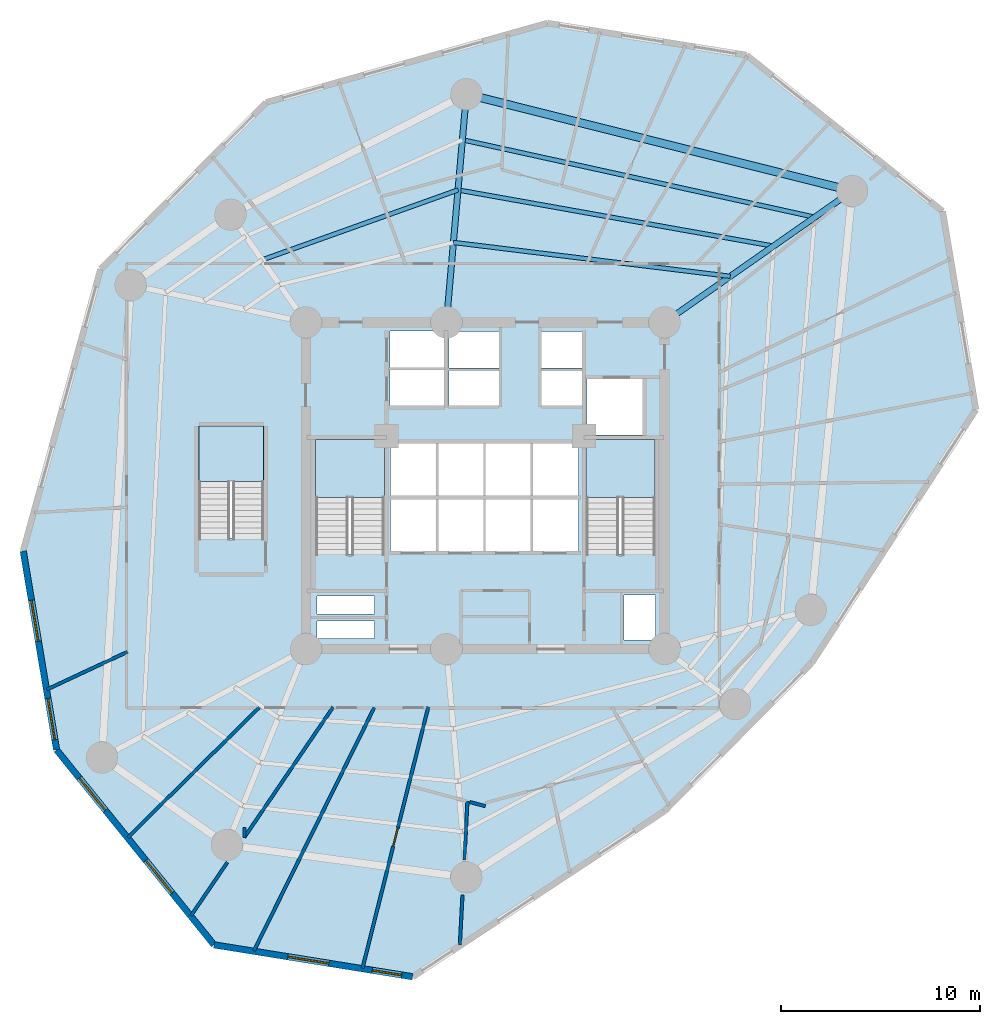
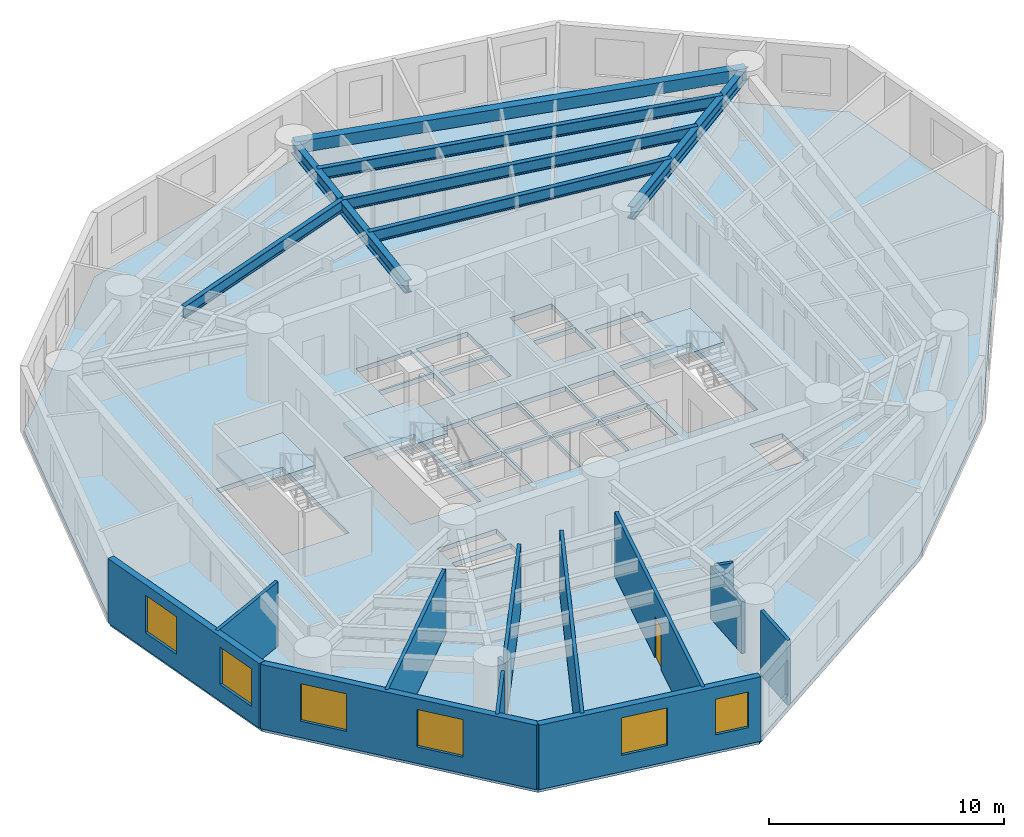
# One storey, part 2 of 8: 13 walls, 7 beams, 6 windows, 4 slabs, 1 door, 7 openings, 3 elements without a shape of their own.
"""IFC4 building model written with IfcOpenShell, lengths in metres."""

import ifcopenshell
import ifcopenshell.guid

model = None  # the IFC model being written
_history = None  # IfcOwnerHistory: only IFC2X3 demands one
_inside = {}  # id of a spatial element -> (the spatial element, [elements in it])
_under = {}  # id of a project, library or spatial element -> (it, [spatial elements below it])
_declared = {}  # id of a project -> (the project, [libraries it declares])
_typed = {}  # id of a type object -> (the type object, [elements of that type])
_made_of = {}  # id of a material, layer set ... -> (it, [elements and type objects made of it])


def new_model(schema):
    """Start an empty IFC model of exactly this schema.

    Asked for "IFC4X3", IfcOpenShell would pick the latest addendum, in which some entities
    have other attributes; the version numbers below select the first issue.
    IFC2X3 requires an IfcOwnerHistory on every rooted entity: one is made here for all.
    """
    global model, _history
    if schema == "IFC4X3":
        model = ifcopenshell.file(schema_version=(4, 3, 0, 0))
    else:
        model = ifcopenshell.file(schema=schema)
    _inside.clear()
    _under.clear()
    _declared.clear()
    _typed.clear()
    _made_of.clear()
    _history = None
    if model.schema == "IFC2X3":
        org = make("IfcOrganization", Name="unknown")
        user = make(
            "IfcPersonAndOrganization",
            ThePerson=make("IfcPerson", FamilyName="unknown"),
            TheOrganization=org,
        )
        app = make(
            "IfcApplication",
            ApplicationDeveloper=org,
            Version="unknown",
            ApplicationFullName="unknown",
            ApplicationIdentifier="unknown",
        )
        _history = make(
            "IfcOwnerHistory",
            OwningUser=user,
            OwningApplication=app,
            ChangeAction="ADDED",
            CreationDate=0,
        )
    return model


def make(cls, **values):
    """One entity of the class cls with the attributes given. An attribute that is None is left unset."""
    return model.create_entity(
        cls, **{name: value for name, value in values.items() if value is not None}
    )


def rooted(cls, **values):
    """An entity with a GlobalId (a new one), such as an element, a storey or a relation."""
    return make(cls, GlobalId=ifcopenshell.guid.new(), OwnerHistory=_history, **values)


def si_unit(unit_type, name, prefix=None):
    """IfcSIUnit, for example si_unit("LENGTHUNIT", "METRE", prefix="MILLI")."""
    return make("IfcSIUnit", UnitType=unit_type, Prefix=prefix, Name=name)


def assignment(units):
    """IfcUnitAssignment: the units of a project."""
    return None if units is None else make("IfcUnitAssignment", Units=units)


def point(xyz):
    """IfcCartesianPoint."""
    return None if xyz is None else make("IfcCartesianPoint", Coordinates=xyz)


def direction(xyz):
    """IfcDirection."""
    return None if xyz is None else make("IfcDirection", DirectionRatios=xyz)


def frame(location, z_axis=None, x_axis=None):
    """IfcAxis2Placement3D, a coordinate frame: its origin and axes. An axis left out is left unset."""
    return make(
        "IfcAxis2Placement3D",
        Location=point(location),
        Axis=direction(z_axis),
        RefDirection=direction(x_axis),
    )


def frame_2d(location, x_axis=None):
    """IfcAxis2Placement2D, a coordinate frame in the plane: its origin and x axis."""
    return make(
        "IfcAxis2Placement2D", Location=point(location), RefDirection=direction(x_axis)
    )


def origin():
    """The frame at (0, 0, 0) with its axes left unset."""
    return frame((0.0, 0.0, 0.0))


def origin_with_axes():
    """The frame at (0, 0, 0) with the z axis (0, 0, 1) and the x axis (1, 0, 0) written out."""
    return frame((0.0, 0.0, 0.0), z_axis=(0.0, 0.0, 1.0), x_axis=(1.0, 0.0, 0.0))


def origin_2d():
    """The frame at (0, 0) in the plane with its x axis left unset."""
    return frame_2d((0.0, 0.0))


def place(relative_to, where):
    """IfcLocalPlacement: puts the frame where relative to a parent placement (None: the world)."""
    return make(
        "IfcLocalPlacement", PlacementRelTo=relative_to, RelativePlacement=where
    )


def context(
    kind, dimensions, precision=None, world=None, true_north=None, identifier=None
):
    """IfcGeometricRepresentationContext, for example the 3D "Model" context."""
    return make(
        "IfcGeometricRepresentationContext",
        ContextIdentifier=identifier,
        ContextType=kind,
        CoordinateSpaceDimension=dimensions,
        Precision=precision,
        WorldCoordinateSystem=world,
        TrueNorth=true_north,
    )


def subcontext(parent, identifier, kind, view, scale=None):
    """IfcGeometricRepresentationSubContext, for example "Body" below "Model"."""
    return make(
        "IfcGeometricRepresentationSubContext",
        ContextIdentifier=identifier,
        ContextType=kind,
        ParentContext=parent,
        TargetScale=scale,
        TargetView=view,
    )


def project(units=None, contexts=None):
    """IfcProject with its units and contexts."""
    return rooted(
        "IfcProject",
        Name="project",
        RepresentationContexts=contexts,
        UnitsInContext=assignment(units),
    )


def spatial(cls, under=None, at=None, **own):
    """A site, building, storey or space (cls), placed at a placement, below another one or the project."""
    s = rooted(cls, ObjectPlacement=at, **own)
    if under is not None:
        _under.setdefault(under.id(), (under, []))[1].append(s)
    return s


def polyline(points):
    """IfcPolyline through the points."""
    return make("IfcPolyline", Points=[point(p) for p in points])


def profile(cls, at=None, kind="AREA", **sizes):
    """A parametric profile (cls). Its sizes go by their IFC names, for example OverallWidth=200.0."""
    return make(cls, ProfileType=kind, Position=at, **sizes)


def rectangle(**sizes):
    """IfcRectangleProfileDef."""
    return profile("IfcRectangleProfileDef", **sizes)


def i_section(**sizes):
    """IfcIShapeProfileDef."""
    return profile("IfcIShapeProfileDef", **sizes)


def outline(outer, holes=None, kind="AREA"):
    """IfcArbitraryClosedProfileDef: a profile drawn as a closed curve; with holes, ...WithVoids."""
    if holes is None:
        return make("IfcArbitraryClosedProfileDef", ProfileType=kind, OuterCurve=outer)
    return make(
        "IfcArbitraryProfileDefWithVoids",
        ProfileType=kind,
        OuterCurve=outer,
        InnerCurves=holes,
    )


def extrude(swept, where, along, depth):
    """IfcExtrudedAreaSolid: the profile swept, set in the frame where, extruded along a direction by depth."""
    return make(
        "IfcExtrudedAreaSolid",
        SweptArea=swept,
        Position=where,
        ExtrudedDirection=direction(along),
        Depth=depth,
    )


def shape(context_of_items, identifier, shape_type, items):
    """IfcShapeRepresentation: the items that make up one representation, for example the "Body"."""
    return make(
        "IfcShapeRepresentation",
        ContextOfItems=context_of_items,
        RepresentationIdentifier=identifier,
        RepresentationType=shape_type,
        Items=items,
    )


def source(mapping_origin, context_of_items, identifier, shape_type, items):
    """IfcRepresentationMap: a shape defined once, which mapped items show again and again."""
    return make(
        "IfcRepresentationMap",
        MappingOrigin=mapping_origin,
        MappedRepresentation=shape(context_of_items, identifier, shape_type, items),
    )


def transform(
    local_origin,
    x_axis=None,
    y_axis=None,
    z_axis=None,
    scale=None,
    scale2=None,
    scale3=None,
    uniform=True,
):
    """IfcCartesianTransformationOperator3D, or its non-uniform kind. x_axis, y_axis, z_axis: its Axis1, 2, 3."""
    if uniform:
        return make(
            "IfcCartesianTransformationOperator3D",
            Axis1=direction(x_axis),
            Axis2=direction(y_axis),
            LocalOrigin=point(local_origin),
            Scale=scale,
            Axis3=direction(z_axis),
        )
    return make(
        "IfcCartesianTransformationOperator3DnonUniform",
        Axis1=direction(x_axis),
        Axis2=direction(y_axis),
        LocalOrigin=point(local_origin),
        Scale=scale,
        Axis3=direction(z_axis),
        Scale2=scale2,
        Scale3=scale3,
    )


def mapped(mapping_source, mapping_target):
    """IfcMappedItem: shows the shape of a source again, moved by a transform."""
    return make(
        "IfcMappedItem", MappingSource=mapping_source, MappingTarget=mapping_target
    )


def material(Name=None, Category=None):
    """IfcMaterial."""
    return make("IfcMaterial", Name=Name, Category=Category)


def layer(
    of_material, thickness, ventilated=None, Name=None, Category=None, Priority=None
):
    """IfcMaterialLayer: one layer of a wall or slab, of a material (None: an air gap)."""
    return make(
        "IfcMaterialLayer",
        Material=of_material,
        LayerThickness=thickness,
        IsVentilated=ventilated,
        Name=Name,
        Category=Category,
        Priority=Priority,
    )


def layer_set(layers, Name=None):
    """IfcMaterialLayerSet."""
    return make("IfcMaterialLayerSet", MaterialLayers=layers, LayerSetName=Name)


def material_profile(
    of_material, cross_section, Name=None, Category=None, Priority=None
):
    """IfcMaterialProfile: a cross section and its material."""
    return make(
        "IfcMaterialProfile",
        Name=Name,
        Material=of_material,
        Profile=cross_section,
        Priority=Priority,
        Category=Category,
    )


def profile_set(profiles, Name=None, composite=None):
    """IfcMaterialProfileSet."""
    return make(
        "IfcMaterialProfileSet",
        Name=Name,
        MaterialProfiles=profiles,
        CompositeProfile=composite,
    )


def made_of(thing, what):
    """Note that an element or type object is made of a material, layer set ...; save() writes the relation."""
    if what is not None:
        _made_of.setdefault(what.id(), (what, []))[1].append(thing)
    return thing


def type_object(cls, material=None, **own):
    """A type object (cls), such as IfcWallType, which elements share."""
    return made_of(rooted(cls, **own), material)


def element(
    cls,
    number,
    at=None,
    inside=None,
    cuts=None,
    type_object=None,
    material=None,
    context=None,
    identifier="Body",
    shape_type=None,
    held_by="IfcProductDefinitionShape",
    body=None,
    shapes=None,
    **own,
):
    """One element of the class cls, such as IfcWall. Its Tag is "e" and its number.

    at: its placement. inside: the storey or other place that contains it. cuts: it is an
    opening in that element (IfcRelVoidsElement). A single representation is given by context,
    identifier, shape_type and body (its items); several are given by shapes. held_by: the class
    of the entity that holds the representations. save() writes the other relations.
    """
    e = rooted(cls, Tag="e%d" % number, ObjectPlacement=at, **own)
    if body is not None:
        shapes = [shape(context, identifier, shape_type, body)]
    if shapes is not None:
        e.Representation = make(held_by, Representations=shapes)
    if inside is not None:
        _inside.setdefault(inside.id(), (inside, []))[1].append(e)
    if cuts is not None:
        rooted(
            "IfcRelVoidsElement", RelatingBuildingElement=cuts, RelatedOpeningElement=e
        )
    if type_object is not None:
        _typed.setdefault(type_object.id(), (type_object, []))[1].append(e)
    return made_of(e, material)


def fill(opening, filler):
    """IfcRelFillsElement: the door or window that sits in an opening."""
    return rooted(
        "IfcRelFillsElement",
        RelatingOpeningElement=opening,
        RelatedBuildingElement=filler,
    )


def aggregate(whole, parts):
    """IfcRelAggregates: a whole, such as a stair, and the parts it consists of."""
    return rooted("IfcRelAggregates", RelatingObject=whole, RelatedObjects=parts)


def save(model, path):
    """Write the relations noted so far, then the file.

    IfcRelAggregates (storeys below a building ...), IfcRelContainedInSpatialStructure (elements
    in a storey), IfcRelDefinesByType, IfcRelAssociatesMaterial and IfcRelDeclares: one each for
    every whole, place, type object, material and project.
    """
    for whole, parts in _under.values():
        aggregate(whole, parts)
    for where, things in _inside.values():
        rooted(
            "IfcRelContainedInSpatialStructure",
            RelatedElements=things,
            RelatingStructure=where,
        )
    for kind, things in _typed.values():
        rooted("IfcRelDefinesByType", RelatedObjects=things, RelatingType=kind)
    for what, things in _made_of.values():
        rooted("IfcRelAssociatesMaterial", RelatedObjects=things, RelatingMaterial=what)
    for by, libraries in _declared.values():
        rooted("IfcRelDeclares", RelatingContext=by, RelatedDefinitions=libraries)
    model.write(path)


model = new_model("IFC4")

# Units and contexts
model_context = context("Model", 3, precision=1e-05, world=origin(), true_north=direction((0.0, 1.0)))
body_context = subcontext(model_context, "Body", "Model", "MODEL_VIEW")
ifc_project = project(units=[si_unit("LENGTHUNIT", "METRE"), si_unit("AREAUNIT", "SQUARE_METRE"), si_unit("VOLUMEUNIT", "CUBIC_METRE"), si_unit("PLANEANGLEUNIT", "RADIAN"), si_unit("MASSUNIT", "GRAM", prefix="KILO")], contexts=[model_context])

# Site, building, storey
site_placement = place(None, origin())
site = spatial("IfcSite", under=ifc_project, at=site_placement, CompositionType="ELEMENT")
building_placement = place(site_placement, origin())
building = spatial("IfcBuilding", under=site, at=building_placement, Name="Karkom Vertical University and Central Library", CompositionType="ELEMENT")
storey_placement = place(building_placement, frame((0.0, 0.0, 73.300048828125)))
storey = spatial("IfcBuildingStorey", under=building, at=storey_placement, Name="L19", CompositionType="ELEMENT", Elevation=73.300048828125)

# Beams
ifc_material_1 = material(Name="Steel S355", Category="steel")
ifc_material_profile_1 = material_profile(ifc_material_1, i_section(OverallWidth=0.300048828125, OverallDepth=0.64990234375, WebThickness=0.01611328125, FlangeThickness=0.031005859375, FilletRadius=0.027099609375, at=origin_2d()), Name="HE 650 B")
ifc_profile_set_1 = profile_set([ifc_material_profile_1], Name="Steel S355")
beam_type_1 = type_object("IfcBeamType", Name="STR-BM-SB-HE650", PredefinedType="USERDEFINED", material=ifc_profile_set_1)
shared_shape_1 = source(origin_with_axes(), body_context, "Body", "SweptSolid", [
    extrude(i_section(OverallWidth=0.300048828125, OverallDepth=0.64990234375, WebThickness=0.01611328125, FlangeThickness=0.031005859375, FilletRadius=0.027099609375, at=origin_2d()), origin(), (0.0, 0.0, 1.0), 11.49951171875),
])
beam_1_placement = place(storey_placement, frame((37.5, 34.699951171875, 3.02490234375), z_axis=(0.81915012564, 0.573579176457, 0.0), x_axis=(-0.573579176457, 0.81915012564, 0.0)))
element("IfcBeam", 1, at=beam_1_placement, inside=storey, type_object=beam_type_1, Name="Level 19 Radial Frame Girder 02", ObjectType="GIRDER", PredefinedType="USERDEFINED", context=body_context, shape_type="MappedRepresentation", body=[
    mapped(shared_shape_1, transform((0.0, 0.0, 0.0), scale=1.0)),
])
shared_shape_2 = source(origin_with_axes(), body_context, "Body", "SweptSolid", [
    extrude(i_section(OverallWidth=0.300048828125, OverallDepth=0.64990234375, WebThickness=0.01611328125, FlangeThickness=0.031005859375, FilletRadius=0.027099609375, at=origin_2d()), origin(), (0.0, 0.0, 1.0), 11.499755859375),
])
beam_2_placement = place(storey_placement, frame((26.550048828125, 34.699951171875, 3.02490234375), z_axis=(0.087127973109, 0.99619712723, 0.0), x_axis=(-0.99619712723, 0.087127973109, 0.0)))
element("IfcBeam", 2, at=beam_2_placement, inside=storey, type_object=beam_type_1, Name="Level 19 Radial Frame Girder 03", ObjectType="GIRDER", PredefinedType="USERDEFINED", context=body_context, shape_type="MappedRepresentation", body=[
    mapped(shared_shape_2, transform((0.0, 0.0, 0.0), scale=1.0)),
])
ifc_material_2 = material(Name="Precast concrete C45/55", Category="concrete")
ifc_material_profile_2 = material_profile(ifc_material_2, rectangle(XDim=0.39990234375, YDim=0.60009765625, at=origin_2d()), Name="SPB-400x600")
ifc_profile_set_2 = profile_set([ifc_material_profile_2], Name="Precast concrete C45/55")
beam_type_2 = type_object("IfcBeamType", Name="STR-BM-SP-1", PredefinedType="SPANDREL", material=ifc_profile_set_2)
shared_shape_3 = source(origin_with_axes(), body_context, "Body", "SweptSolid", [
    extrude(rectangle(XDim=0.39990234375, YDim=0.60009765625, at=origin_2d()), origin(), (0.0, 0.0, 1.0), 19.968505859375),
])
beam_3_placement = place(storey_placement, frame((46.919921875, 41.2958984375, 3.050048828125), z_axis=(-0.969928522391, 0.243389937039, 0.0), x_axis=(-0.243389937039, -0.969928522391, 0.0)))
element("IfcBeam", 3, at=beam_3_placement, inside=storey, type_object=beam_type_2, Name="Level 19 Perimeter Spandrel Beam 02", PredefinedType="SPANDREL", context=body_context, shape_type="MappedRepresentation", body=[
    mapped(shared_shape_3, transform((0.0, 0.0, 0.0), scale=1.0)),
])
ifc_material_profile_3 = material_profile(ifc_material_1, i_section(OverallWidth=0.219970703125, OverallDepth=0.60009765625, WebThickness=0.011962890625, FlangeThickness=0.01904296875, FilletRadius=0.02392578125, at=origin_2d()), Name="IPE 600")
ifc_profile_set_3 = profile_set([ifc_material_profile_3], Name="Steel S355")
beam_type_3 = type_object("IfcBeamType", Name="STR-BM-SB-IPE600", PredefinedType="BEAM", material=ifc_profile_set_3)
shared_shape_4 = source(origin_with_axes(), body_context, "Body", "SweptSolid", [
    extrude(i_section(OverallWidth=0.219970703125, OverallDepth=0.60009765625, WebThickness=0.011962890625, FlangeThickness=0.01904296875, FilletRadius=0.02392578125, at=origin_2d()), origin(), (0.0, 0.0, 1.0), 14.000244140625),
])
beam_4_placement = place(storey_placement, frame((40.797119140625, 37.008544921875, 3.050048828125), z_axis=(-0.992590166403, 0.121510335198, 0.0), x_axis=(-0.121510335198, -0.992590166403, 0.0)))
element("IfcBeam", 4, at=beam_4_placement, inside=storey, type_object=beam_type_3, Name="Level 19 Secondary Composite Floor Beam 1.02", PredefinedType="BEAM", context=body_context, shape_type="MappedRepresentation", body=[
    mapped(shared_shape_4, transform((0.0, 0.0, 0.0), scale=1.0)),
])
shared_shape_5 = source(origin_with_axes(), body_context, "Body", "SweptSolid", [
    extrude(i_section(OverallWidth=0.219970703125, OverallDepth=0.60009765625, WebThickness=0.011962890625, FlangeThickness=0.01904296875, FilletRadius=0.02392578125, at=origin_2d()), origin(), (0.0, 0.0, 1.0), 16.08154296875),
])
beam_5_placement = place(storey_placement, frame((42.963623046875, 38.525634765625, 3.050048828125), z_axis=(-0.984517708807, 0.175285142111, 0.0), x_axis=(-0.175285142111, -0.984517708807, 0.0)))
element("IfcBeam", 5, at=beam_5_placement, inside=storey, type_object=beam_type_3, Name="Level 19 Secondary Composite Floor Beam 2.02", PredefinedType="BEAM", context=body_context, shape_type="MappedRepresentation", body=[
    mapped(shared_shape_5, transform((0.0, 0.0, 0.0), scale=1.0)),
])
shared_shape_6 = source(origin_with_axes(), body_context, "Body", "SweptSolid", [
    extrude(i_section(OverallWidth=0.219970703125, OverallDepth=0.60009765625, WebThickness=0.011962890625, FlangeThickness=0.01904296875, FilletRadius=0.02392578125, at=origin_2d()), origin(), (0.0, 0.0, 1.0), 10.4345703125),
])
beam_6_placement = place(storey_placement, frame((27.131103515625, 41.344482421875, 3.050048828125), z_axis=(-0.941759378798, -0.336287484819, 0.0), x_axis=(0.336287484819, -0.941759378798, 0.0)))
element("IfcBeam", 6, at=beam_6_placement, inside=storey, type_object=beam_type_3, Name="Level 19 Secondary Composite Floor Beam 2.03", PredefinedType="BEAM", context=body_context, shape_type="MappedRepresentation", body=[
    mapped(shared_shape_6, transform((0.0, 0.0, 0.0), scale=1.0)),
])
shared_shape_7 = source(origin_with_axes(), body_context, "Body", "SweptSolid", [
    extrude(i_section(OverallWidth=0.219970703125, OverallDepth=0.60009765625, WebThickness=0.011962890625, FlangeThickness=0.01904296875, FilletRadius=0.02392578125, at=origin_2d()), origin(), (0.0, 0.0, 1.0), 18.106689453125),
])
beam_7_placement = place(storey_placement, frame((45.035888671875, 39.976806640625, 3.050048828125), z_axis=(-0.976674731786, 0.214724167926, 0.0), x_axis=(-0.214724167926, -0.976674731786, 0.0)))
element("IfcBeam", 7, at=beam_7_placement, inside=storey, type_object=beam_type_3, Name="Level 19 Secondary Composite Floor Beam 3.02", PredefinedType="BEAM", context=body_context, shape_type="MappedRepresentation", body=[
    mapped(shared_shape_7, transform((0.0, 0.0, 0.0), scale=1.0)),
])

# Stair, slab
ifc_material_3 = material(Name="Concrete C45/55", Category="concrete")
stair_type_1 = type_object("IfcStairType", Name="INT-STR-ST-MAIN", PredefinedType="HALF_TURN_STAIR", material=ifc_material_3)
stair_1_placement = place(storey_placement, origin())
stair_1 = element("IfcStair", 8, at=stair_1_placement, inside=storey, type_object=stair_type_1, Name="Level 19 Tower Protected Exit Stair ST-1", PredefinedType="HALF_TURN_STAIR")
ifc_layer_1 = layer(ifc_material_3, 0.199951171875)
ifc_layer_set_1 = layer_set([ifc_layer_1], Name="Concrete C45/55")
slab_type_1 = type_object("IfcSlabType", Name="INT-SLB-LANDING", PredefinedType="LANDING", material=ifc_layer_set_1)
slab_1_placement = place(storey_placement, frame((0.0, 0.0, 1.599853515625)))
slab_1 = element("IfcSlab", 9, at=slab_1_placement, type_object=slab_type_1, Name="ST-1 landing 1", PredefinedType="LANDING", context=body_context, shape_type="SweptSolid", body=[
    extrude(outline(polyline([(23.43994140625, 25.919921875), (23.43994140625, 28.820068359375), (19.97998046875, 28.820068359375), (19.97998046875, 25.919921875), (23.43994140625, 25.919921875)])), origin(), (0.0, 0.0, 1.0), 0.2001953125),
])
aggregate(stair_1, [slab_1])

stair_2_placement = place(storey_placement, origin())
stair_2 = element("IfcStair", 10, at=stair_2_placement, inside=storey, type_object=stair_type_1, Name="Level 19 Tower Protected Exit Stair ST-2", PredefinedType="HALF_TURN_STAIR")
slab_2_placement = place(storey_placement, frame((0.0, 0.0, 1.599853515625)))
slab_2 = element("IfcSlab", 11, at=slab_2_placement, type_object=slab_type_1, Name="ST-2 landing 1", PredefinedType="LANDING", context=body_context, shape_type="SweptSolid", body=[
    extrude(outline(polyline([(37.02001953125, 25.919921875), (37.02001953125, 28.820068359375), (33.56005859375, 28.820068359375), (33.56005859375, 25.919921875), (37.02001953125, 25.919921875)])), origin(), (0.0, 0.0, 1.0), 0.2001953125),
])
aggregate(stair_2, [slab_2])

stair_type_2 = type_object("IfcStairType", Name="INT-STR-ST-SEC", PredefinedType="HALF_TURN_STAIR", material=ifc_material_3)
stair_3_placement = place(storey_placement, origin())
stair_3 = element("IfcStair", 12, at=stair_3_placement, inside=storey, type_object=stair_type_2, Name="Level 19 Academic Zone Protected Exit Stair ST-3", PredefinedType="HALF_TURN_STAIR")
slab_3_placement = place(storey_placement, frame((0.0, 0.0, 1.599853515625)))
slab_3 = element("IfcSlab", 13, at=slab_3_placement, type_object=slab_type_1, Name="ST-3 landing 1", PredefinedType="LANDING", context=body_context, shape_type="SweptSolid", body=[
    extrude(outline(polyline([(17.3798828125, 26.699951171875), (17.3798828125, 29.5), (14.1201171875, 29.5), (14.1201171875, 26.699951171875), (17.3798828125, 26.699951171875)])), origin(), (0.0, 0.0, 1.0), 0.2001953125),
])
aggregate(stair_3, [slab_3])

# Slab
ifc_layer_2 = layer(ifc_material_3, 0.25)
ifc_layer_set_2 = layer_set([ifc_layer_2], Name="Concrete C45/55")
slab_type_2 = type_object("IfcSlabType", Name="STR-SLB-FLR-250", PredefinedType="FLOOR", material=ifc_layer_set_2)
slab_4_placement = place(storey_placement, frame((0.0, 0.0, -0.25)))
element("IfcSlab", 14, at=slab_4_placement, inside=storey, type_object=slab_type_2, Name="Level 19 Tower Structural Floor Slab", PredefinedType="FLOOR", context=body_context, shape_type="SweptSolid", body=[
    extrude(outline(polyline([(17.49169921875, 45.73095703125), (9.192626953125, 37.373779296875), (5.30517578125, 23.22216796875), (6.979736328125, 13.2421875), (14.884521484375, 3.451416015625), (24.8544921875, 1.85009765625), (37.4873046875, 10.16552734375), (44.896728515625, 17.627197265625), (53.123779296875, 30.317626953125), (51.452880859375, 40.276123046875), (41.607177734375, 48.1123046875), (31.61572265625, 49.717041015625), (17.49169921875, 45.73095703125)]), holes=[polyline([(19.97998046875, 23.0849609375), (23.43994140625, 23.0849609375), (23.43994140625, 28.820068359375), (19.97998046875, 28.820068359375), (19.97998046875, 23.0849609375)]), polyline([(33.56005859375, 23.0849609375), (37.02001953125, 23.0849609375), (37.02001953125, 28.820068359375), (33.56005859375, 28.820068359375), (33.56005859375, 23.0849609375)]), polyline([(14.1201171875, 23.864990234375), (17.3798828125, 23.864990234375), (17.3798828125, 29.5), (14.1201171875, 29.5), (14.1201171875, 23.864990234375)]), polyline([(23.75, 23.199951171875), (26.030029296875, 23.199951171875), (26.030029296875, 25.85009765625), (23.75, 25.85009765625), (23.75, 23.199951171875)]), polyline([(26.1298828125, 23.199951171875), (28.409912109375, 23.199951171875), (28.409912109375, 25.85009765625), (26.1298828125, 25.85009765625), (26.1298828125, 23.199951171875)]), polyline([(28.510009765625, 23.199951171875), (30.7900390625, 23.199951171875), (30.7900390625, 25.85009765625), (28.510009765625, 25.85009765625), (28.510009765625, 23.199951171875)]), polyline([(30.889892578125, 23.199951171875), (33.169921875, 23.199951171875), (33.169921875, 25.85009765625), (30.889892578125, 25.85009765625), (30.889892578125, 23.199951171875)]), polyline([(23.75, 26.0), (26.030029296875, 26.0), (26.030029296875, 28.64990234375), (23.75, 28.64990234375), (23.75, 26.0)]), polyline([(26.1298828125, 26.0), (28.409912109375, 26.0), (28.409912109375, 28.64990234375), (26.1298828125, 28.64990234375), (26.1298828125, 26.0)]), polyline([(28.510009765625, 26.0), (30.7900390625, 26.0), (30.7900390625, 28.64990234375), (28.510009765625, 28.64990234375), (28.510009765625, 26.0)]), polyline([(30.889892578125, 26.0), (33.169921875, 26.0), (33.169921875, 28.64990234375), (30.889892578125, 28.64990234375), (30.889892578125, 26.0)]), polyline([(26.679931640625, 30.5), (29.199951171875, 30.5), (29.199951171875, 32.25), (26.679931640625, 32.25), (26.679931640625, 30.5)]), polyline([(26.679931640625, 32.39990234375), (29.199951171875, 32.39990234375), (29.199951171875, 34.25), (26.679931640625, 34.25), (26.679931640625, 32.39990234375)]), polyline([(31.300048828125, 30.5), (33.35009765625, 30.5), (33.35009765625, 32.25), (31.300048828125, 32.25), (31.300048828125, 30.5)]), polyline([(31.300048828125, 32.39990234375), (33.35009765625, 32.39990234375), (33.35009765625, 34.25), (31.300048828125, 34.25), (31.300048828125, 32.39990234375)]), polyline([(23.719970703125, 30.47998046875), (26.429931640625, 30.47998046875), (26.429931640625, 32.320068359375), (23.719970703125, 32.320068359375), (23.719970703125, 30.47998046875)]), polyline([(23.719970703125, 32.419921875), (26.429931640625, 32.419921875), (26.429931640625, 34.260009765625), (23.719970703125, 34.260009765625), (23.719970703125, 32.419921875)]), polyline([(33.60009765625, 29.050048828125), (36.39990234375, 29.050048828125), (36.39990234375, 31.85009765625), (33.60009765625, 31.85009765625), (33.60009765625, 29.050048828125)]), polyline([(20.050048828125, 18.820068359375), (22.949951171875, 18.820068359375), (22.949951171875, 19.719970703125), (20.050048828125, 19.719970703125), (20.050048828125, 18.820068359375)]), polyline([(20.050048828125, 20.06005859375), (22.949951171875, 20.06005859375), (22.949951171875, 20.9599609375), (20.050048828125, 20.9599609375), (20.050048828125, 20.06005859375)]), polyline([(35.4599609375, 18.760009765625), (37.0400390625, 18.760009765625), (37.0400390625, 21.010009765625), (35.4599609375, 21.010009765625), (35.4599609375, 18.760009765625)])]), origin(), (0.0, 0.0, 1.0), 0.25),
])

# Wall, openings, windows
ifc_material_4 = material(Name="Brick-faced precast concrete C45/55", Category="masonry")
ifc_layer_3 = layer(ifc_material_4, 0.320068359375)
ifc_layer_set_3 = layer_set([ifc_layer_3], Name="Brick-faced precast concrete C45/55")
wall_type_1 = type_object("IfcWallType", Name="ENV-WL-BRK-320", PredefinedType="SOLIDWALL", material=ifc_layer_set_3)
wall_1_placement = place(storey_placement, frame((5.30517578125, 23.22216796875, 0.0), z_axis=(0.0, 0.0, 1.0), x_axis=(0.165478680177, -0.986213367587, 0.0)))
wall_1 = element("IfcWall", 15, at=wall_1_placement, inside=storey, type_object=wall_type_1, Name="Level 19 Brick-Faced Precast Facade Wall 03", PredefinedType="SOLIDWALL", context=body_context, shape_type="SweptSolid", body=[
    extrude(rectangle(XDim=10.119384765625, YDim=0.320068359375, at=frame_2d((5.0595703125, 0.0))), origin(), (0.0, 0.0, 1.0), 3.349853515625),
])
opening_1_placement = place(wall_1_placement, frame((2.5009765625, 0.0, 0.85009765625)))
opening_1 = element("IfcOpeningElement", 16, at=opening_1_placement, cuts=wall_1, Name="Opening WN-03", PredefinedType="OPENING", context=body_context, shape_type="SweptSolid", body=[
    extrude(rectangle(XDim=2.10009765625, YDim=1.949951171875, at=frame_2d((1.050048828125, 0.97509765625))), frame((0.0, 0.169921875, 0.0), z_axis=(0.0, -1.0, 0.0), x_axis=(1.0, 0.0, 0.0)), (0.0, 0.0, 1.0), 0.340087890625),
])
opening_2_placement = place(wall_1_placement, frame((7.500732421875, 0.0, 0.85009765625)))
opening_2 = element("IfcOpeningElement", 17, at=opening_2_placement, cuts=wall_1, Name="Opening WN-03", PredefinedType="OPENING", context=body_context, shape_type="SweptSolid", body=[
    extrude(rectangle(XDim=2.10009765625, YDim=1.949951171875, at=frame_2d((1.050048828125, 0.97509765625))), frame((0.0, 0.169921875, 0.0), z_axis=(0.0, -1.0, 0.0), x_axis=(1.0, 0.0, 0.0)), (0.0, 0.0, 1.0), 0.340087890625),
])
ifc_material_5 = material(Name="Aluminium thermal-break frame with solar-control IGU", Category="aluminium")
window_type_1 = type_object("IfcWindowType", Name="ENV-WIN-WN-03", PartitioningType="SINGLE_PANEL", PredefinedType="WINDOW", material=ifc_material_5)
shared_shape_8 = source(origin_with_axes(), body_context, "Body", "SweptSolid", [
    extrude(rectangle(XDim=2.10009765625, YDim=1.949951171875, at=frame_2d((1.050048828125, 0.97509765625))), frame((0.0, 0.030029296875, 0.0), z_axis=(0.0, -1.0, 0.0), x_axis=(1.0, 0.0, 0.0)), (0.0, 0.0, 1.0), 0.06005859375),
])
window_1_placement = place(opening_1_placement, origin())
window_1 = element("IfcWindow", 18, at=window_1_placement, inside=storey, type_object=window_type_1, Name="Level 19 Punched Window 3.1", OverallHeight=1.949951171875, OverallWidth=2.10009765625, PartitioningType="SINGLE_PANEL", PredefinedType="WINDOW", context=body_context, shape_type="MappedRepresentation", body=[
    mapped(shared_shape_8, transform((0.0, 0.0, 0.0), scale=1.0)),
])
fill(opening_1, window_1)
window_2_placement = place(opening_2_placement, origin())
window_2 = element("IfcWindow", 19, at=window_2_placement, inside=storey, type_object=window_type_1, Name="Level 19 Punched Window 3.2", OverallHeight=1.949951171875, OverallWidth=2.10009765625, PartitioningType="SINGLE_PANEL", PredefinedType="WINDOW", context=body_context, shape_type="MappedRepresentation", body=[
    mapped(shared_shape_8, transform((0.0, 0.0, 0.0), scale=1.0)),
])
fill(opening_2, window_2)

wall_2_placement = place(storey_placement, frame((6.979736328125, 13.2421875, 0.0), z_axis=(0.0, 0.0, 1.0), x_axis=(0.628185807693, -0.778063359254, 0.0)))
wall_2 = element("IfcWall", 20, at=wall_2_placement, inside=storey, type_object=wall_type_1, Name="Level 19 Brick-Faced Precast Facade Wall 04", PredefinedType="SOLIDWALL", context=body_context, shape_type="SweptSolid", body=[
    extrude(rectangle(XDim=12.58349609375, YDim=0.320068359375, at=frame_2d((6.291748046875, 0.0))), origin(), (0.0, 0.0, 1.0), 3.349853515625),
])
opening_3_placement = place(wall_2_placement, frame((1.8125, 0.0, 0.85009765625)))
opening_3 = element("IfcOpeningElement", 21, at=opening_3_placement, cuts=wall_2, Name="Opening WN-03", PredefinedType="OPENING", context=body_context, shape_type="SweptSolid", body=[
    extrude(rectangle(XDim=2.10009765625, YDim=1.949951171875, at=frame_2d((1.050048828125, 0.97509765625))), frame((0.0, 0.169921875, 0.0), z_axis=(0.0, -1.0, 0.0), x_axis=(1.0, 0.0, 0.0)), (0.0, 0.0, 1.0), 0.340087890625),
])
opening_4_placement = place(wall_2_placement, frame((7.135498046875, 0.0, 0.85009765625)))
opening_4 = element("IfcOpeningElement", 22, at=opening_4_placement, cuts=wall_2, Name="Opening WN-03", PredefinedType="OPENING", context=body_context, shape_type="SweptSolid", body=[
    extrude(rectangle(XDim=2.10009765625, YDim=1.949951171875, at=frame_2d((1.050048828125, 0.97509765625))), frame((0.0, 0.169921875, 0.0), z_axis=(0.0, -1.0, 0.0), x_axis=(1.0, 0.0, 0.0)), (0.0, 0.0, 1.0), 0.340087890625),
])
window_3_placement = place(opening_3_placement, origin())
window_3 = element("IfcWindow", 23, at=window_3_placement, inside=storey, type_object=window_type_1, Name="Level 19 Punched Window 4.1", OverallHeight=1.949951171875, OverallWidth=2.10009765625, PartitioningType="SINGLE_PANEL", PredefinedType="WINDOW", context=body_context, shape_type="MappedRepresentation", body=[
    mapped(shared_shape_8, transform((0.0, 0.0, 0.0), scale=1.0)),
])
fill(opening_3, window_3)
window_4_placement = place(opening_4_placement, origin())
window_4 = element("IfcWindow", 24, at=window_4_placement, inside=storey, type_object=window_type_1, Name="Level 19 Punched Window 4.2", OverallHeight=1.949951171875, OverallWidth=2.10009765625, PartitioningType="SINGLE_PANEL", PredefinedType="WINDOW", context=body_context, shape_type="MappedRepresentation", body=[
    mapped(shared_shape_8, transform((0.0, 0.0, 0.0), scale=1.0)),
])
fill(opening_4, window_4)

wall_3_placement = place(storey_placement, frame((14.884521484375, 3.451416015625, 0.0), z_axis=(0.0, 0.0, 1.0), x_axis=(0.987345856251, -0.158581714405, 0.0)))
wall_3 = element("IfcWall", 25, at=wall_3_placement, inside=storey, type_object=wall_type_1, Name="Level 19 Brick-Faced Precast Facade Wall 05", PredefinedType="SOLIDWALL", context=body_context, shape_type="SweptSolid", body=[
    extrude(rectangle(XDim=10.09765625, YDim=0.320068359375, at=frame_2d((5.048828125, 0.0))), origin(), (0.0, 0.0, 1.0), 3.349853515625),
])
opening_5_placement = place(wall_3_placement, frame((3.742431640625, 0.0, 0.85009765625)))
opening_5 = element("IfcOpeningElement", 26, at=opening_5_placement, cuts=wall_3, Name="Opening WN-03", PredefinedType="OPENING", context=body_context, shape_type="SweptSolid", body=[
    extrude(rectangle(XDim=2.10009765625, YDim=1.949951171875, at=frame_2d((1.050048828125, 0.97509765625))), frame((0.0, 0.169921875, 0.0), z_axis=(0.0, -1.0, 0.0), x_axis=(1.0, 0.0, 0.0)), (0.0, 0.0, 1.0), 0.340087890625),
])
opening_6_placement = place(wall_3_placement, frame((8.042236328125, 0.0, 0.85009765625)))
opening_6 = element("IfcOpeningElement", 27, at=opening_6_placement, cuts=wall_3, Name="Opening WN-05", PredefinedType="OPENING", context=body_context, shape_type="SweptSolid", body=[
    extrude(rectangle(XDim=1.5, YDim=1.85009765625, at=frame_2d((0.75, 0.925048828125))), frame((0.0, 0.169921875, 0.0), z_axis=(0.0, -1.0, 0.0), x_axis=(1.0, 0.0, 0.0)), (0.0, 0.0, 1.0), 0.340087890625),
])
window_5_placement = place(opening_5_placement, origin())
window_5 = element("IfcWindow", 28, at=window_5_placement, inside=storey, type_object=window_type_1, Name="Level 19 Punched Window 5.1", OverallHeight=1.949951171875, OverallWidth=2.10009765625, PartitioningType="SINGLE_PANEL", PredefinedType="WINDOW", context=body_context, shape_type="MappedRepresentation", body=[
    mapped(shared_shape_8, transform((0.0, 0.0, 0.0), scale=1.0)),
])
fill(opening_5, window_5)
window_type_2 = type_object("IfcWindowType", Name="ENV-WIN-WN-05", PartitioningType="SINGLE_PANEL", PredefinedType="WINDOW", material=ifc_material_5)
shared_shape_9 = source(origin_with_axes(), body_context, "Body", "SweptSolid", [
    extrude(rectangle(XDim=1.5, YDim=1.85009765625, at=frame_2d((0.75, 0.925048828125))), frame((0.0, 0.030029296875, 0.0), z_axis=(0.0, -1.0, 0.0), x_axis=(1.0, 0.0, 0.0)), (0.0, 0.0, 1.0), 0.06005859375),
])
window_6_placement = place(opening_6_placement, origin())
window_6 = element("IfcWindow", 29, at=window_6_placement, inside=storey, type_object=window_type_2, Name="Level 19 Punched Window 5.2", OverallHeight=1.85009765625, OverallWidth=1.5, PartitioningType="SINGLE_PANEL", PredefinedType="WINDOW", context=body_context, shape_type="MappedRepresentation", body=[
    mapped(shared_shape_9, transform((0.0, 0.0, 0.0), scale=1.0)),
])
fill(opening_6, window_6)

# Wall
ifc_material_6 = material(Name="Insulated metal-stud drywall 160mm", Category="gypsum")
ifc_layer_4 = layer(ifc_material_6, 0.159912109375)
ifc_layer_set_4 = layer_set([ifc_layer_4], Name="Insulated metal-stud drywall 160mm")
wall_type_2 = type_object("IfcWallType", Name="INT-WL-COR-160", PredefinedType="PARTITIONING", material=ifc_layer_set_4)
wall_4_placement = place(storey_placement, frame((22.933349609375, 15.376953125, 0.0), z_axis=(0.0, 0.0, 1.0), x_axis=(-0.443226072403, -0.896409866491, 0.0)))
element("IfcWall", 30, at=wall_4_placement, inside=storey, type_object=wall_type_2, Name="Level 19 Interior Partition Wall L19-PW-007", PredefinedType="PARTITIONING", context=body_context, shape_type="SweptSolid", body=[
    extrude(rectangle(XDim=13.6318359375, YDim=0.159912109375, at=frame_2d((6.81591796875, 0.0))), origin(), (0.0, 0.0, 1.0), 3.349853515625),
])

# Wall, opening, door
wall_5_placement = place(storey_placement, frame((25.640380859375, 15.3935546875, 0.0), z_axis=(0.0, 0.0, 1.0), x_axis=(-0.24429380554, -0.96970126151, 0.0)))
wall_5 = element("IfcWall", 31, at=wall_5_placement, inside=storey, type_object=wall_type_2, Name="Level 19 Interior Partition Wall L19-PW-008", PredefinedType="PARTITIONING", context=body_context, shape_type="SweptSolid", body=[
    extrude(rectangle(XDim=13.5234375, YDim=0.159912109375, at=frame_2d((6.76171875, 0.0))), origin(), (0.0, 0.0, 1.0), 3.349853515625),
])
opening_7_placement = place(wall_5_placement, frame((6.26171875, 0.0, 0.0)))
opening_7 = element("IfcOpeningElement", 32, at=opening_7_placement, cuts=wall_5, Name="Opening D-RM1", PredefinedType="OPENING", context=body_context, shape_type="SweptSolid", body=[
    extrude(rectangle(XDim=0.949951171875, YDim=2.14990234375, at=frame_2d((0.47509765625, 1.074951171875))), frame((0.0, 0.08984375, 0.0), z_axis=(0.0, -1.0, 0.0), x_axis=(1.0, 0.0, 0.0)), (0.0, 0.0, 1.0), 0.179931640625),
])
ifc_material_7 = material(Name="Solid-core oak veneer door", Category="wood")
door_type = type_object("IfcDoorType", Name="INT-DR-RM1", OperationType="NOTDEFINED", PredefinedType="DOOR", material=ifc_material_7)
shared_shape_10 = source(origin_with_axes(), body_context, "Body", "SweptSolid", [
    extrude(rectangle(XDim=0.949951171875, YDim=2.14990234375, at=frame_2d((0.47509765625, 1.074951171875))), frame((0.0, 0.02490234375, 0.0), z_axis=(0.0, -1.0, 0.0), x_axis=(1.0, 0.0, 0.0)), (0.0, 0.0, 1.0), 0.050048828125),
])
door_placement = place(opening_7_placement, origin())
door = element("IfcDoor", 33, at=door_placement, inside=storey, type_object=door_type, Name="Level 19 Room Entry Door 050", OperationType="SINGLE_SWING_RIGHT", OverallHeight=2.14990234375, OverallWidth=0.949951171875, PredefinedType="DOOR", context=body_context, shape_type="MappedRepresentation", body=[
    mapped(shared_shape_10, transform((0.0, 0.0, 0.0), scale=1.0)),
])
fill(opening_7, door)

# Walls
wall_6_placement = place(storey_placement, frame((17.158203125, 15.37109375, 0.0), z_axis=(0.0, 0.0, 1.0), x_axis=(-0.71113428612, -0.703056204797, 0.0)))
element("IfcWall", 34, at=wall_6_placement, inside=storey, type_object=wall_type_2, Name="Level 19 Interior Partition Wall L19-PW-003", PredefinedType="PARTITIONING", context=body_context, shape_type="SweptSolid", body=[
    extrude(rectangle(XDim=9.2783203125, YDim=0.159912109375, at=frame_2d((4.63916015625, 0.0))), origin(), (0.0, 0.0, 1.0), 3.349853515625),
])
wall_7_placement = place(storey_placement, frame((20.85986328125, 15.38720703125, 0.0), z_axis=(0.0, 0.0, 1.0), x_axis=(-0.562859646114, -0.826552490031, 0.0)))
element("IfcWall", 35, at=wall_7_placement, inside=storey, type_object=wall_type_2, Name="Level 19 Interior Partition Wall L19-PW-004", PredefinedType="PARTITIONING", context=body_context, shape_type="SweptSolid", body=[
    extrude(rectangle(XDim=7.90771484375, YDim=0.159912109375, at=frame_2d((3.953857421875, 0.0))), origin(), (0.0, 0.0, 1.0), 3.349853515625),
])
wall_8_placement = place(storey_placement, frame((10.540771484375, 18.16357421875, 0.0), z_axis=(0.0, 0.0, 1.0), x_axis=(-0.905766191426, -0.423777779584, 0.0)))
element("IfcWall", 36, at=wall_8_placement, inside=storey, type_object=wall_type_2, Name="Level 19 Interior Partition Wall L19-PW-001", PredefinedType="PARTITIONING", context=body_context, shape_type="SweptSolid", body=[
    extrude(rectangle(XDim=4.46240234375, YDim=0.159912109375, at=frame_2d((2.231201171875, 0.0))), origin(), (0.0, 0.0, 1.0), 3.349853515625),
])
wall_9_placement = place(storey_placement, frame((15.551513671875, 7.592041015625, 0.0), z_axis=(0.0, 0.0, 1.0), x_axis=(-0.562834919672, -0.826569327521, 0.0)))
element("IfcWall", 37, at=wall_9_placement, inside=storey, type_object=wall_type_2, Name="Level 19 Interior Partition Wall L19-PW-006", PredefinedType="PARTITIONING", context=body_context, shape_type="SweptSolid", body=[
    extrude(rectangle(XDim=3.230712890625, YDim=0.159912109375, at=frame_2d((1.615234375, 0.0))), origin(), (0.0, 0.0, 1.0), 3.349853515625),
])
wall_10_placement = place(storey_placement, frame((27.603759765625, 10.6572265625, 0.0), z_axis=(0.0, 0.0, 1.0), x_axis=(-0.052698438421, -0.9986104719, 0.0)))
element("IfcWall", 38, at=wall_10_placement, inside=storey, type_object=wall_type_2, Name="Level 19 Interior Partition Wall L19-PW-009", PredefinedType="PARTITIONING", context=body_context, shape_type="SweptSolid", body=[
    extrude(rectangle(XDim=2.937255859375, YDim=0.159912109375, at=frame_2d((1.46875, 0.0))), origin(), (0.0, 0.0, 1.0), 2.699951171875),
])
wall_11_placement = place(storey_placement, frame((27.356201171875, 5.964111328125, 0.0), z_axis=(0.0, 0.0, 1.0), x_axis=(-0.052655715269, -0.99861272556, 0.0)))
element("IfcWall", 39, at=wall_11_placement, inside=storey, type_object=wall_type_2, Name="Level 19 Interior Partition Wall L19-PW-010", PredefinedType="PARTITIONING", context=body_context, shape_type="SweptSolid", body=[
    extrude(rectangle(XDim=2.512939453125, YDim=0.159912109375, at=frame_2d((1.25634765625, 0.0))), origin(), (0.0, 0.0, 1.0), 3.349853515625),
])
wall_12_placement = place(storey_placement, frame((27.722412109375, 10.62548828125, 0.0), z_axis=(0.0, 0.0, 1.0), x_axis=(0.965957525641, -0.258700712519, 0.0)))
element("IfcWall", 40, at=wall_12_placement, inside=storey, type_object=wall_type_2, Name="Level 19 Interior Partition Wall L19-PW-013", PredefinedType="PARTITIONING", context=body_context, shape_type="SweptSolid", body=[
    extrude(rectangle(XDim=0.804931640625, YDim=0.159912109375, at=frame_2d((0.40234375, 0.0))), origin(), (0.0, 0.0, 1.0), 2.75),
])
wall_13_placement = place(storey_placement, frame((16.408935546875, 8.85107421875, 0.0), z_axis=(0.0, 0.0, 1.0), x_axis=(0.0, 1.0, 0.0)))
element("IfcWall", 41, at=wall_13_placement, inside=storey, type_object=wall_type_2, Name="Level 19 Interior Partition Wall L19-PW-005", PredefinedType="PARTITIONING", context=body_context, shape_type="SweptSolid", body=[
    extrude(rectangle(XDim=0.5009765625, YDim=0.159912109375, at=frame_2d((0.25048828125, 0.0))), origin(), (0.0, 0.0, 1.0), 2.699951171875),
])

save(model, "model.ifc")
